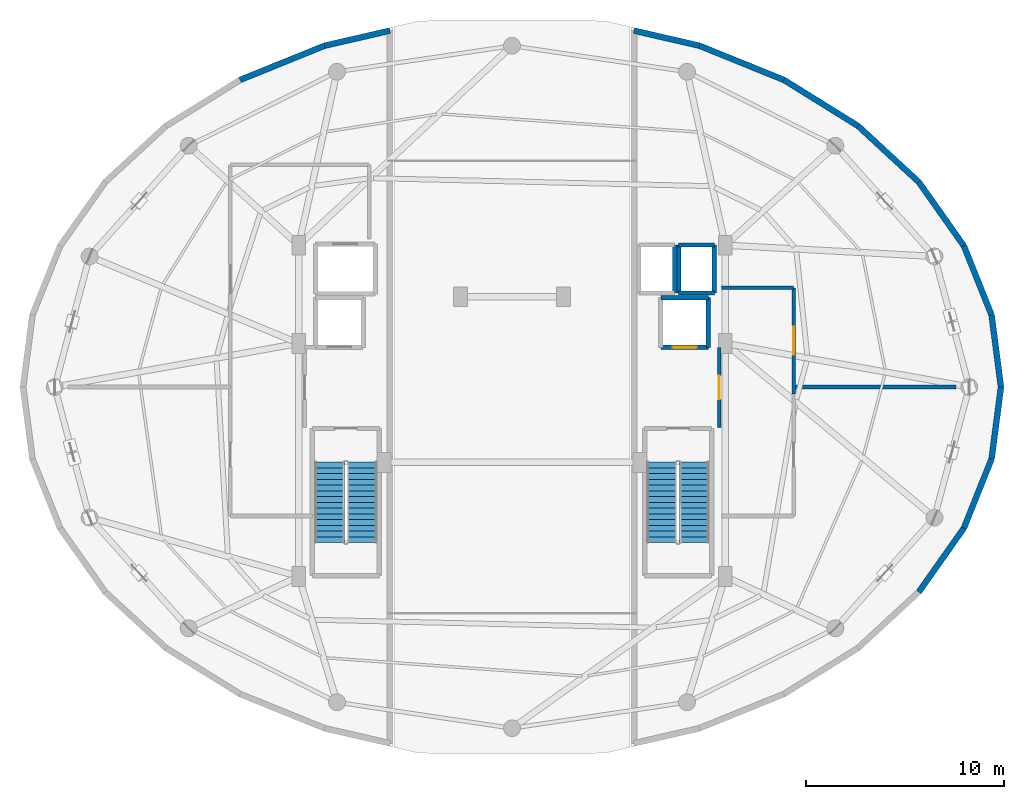
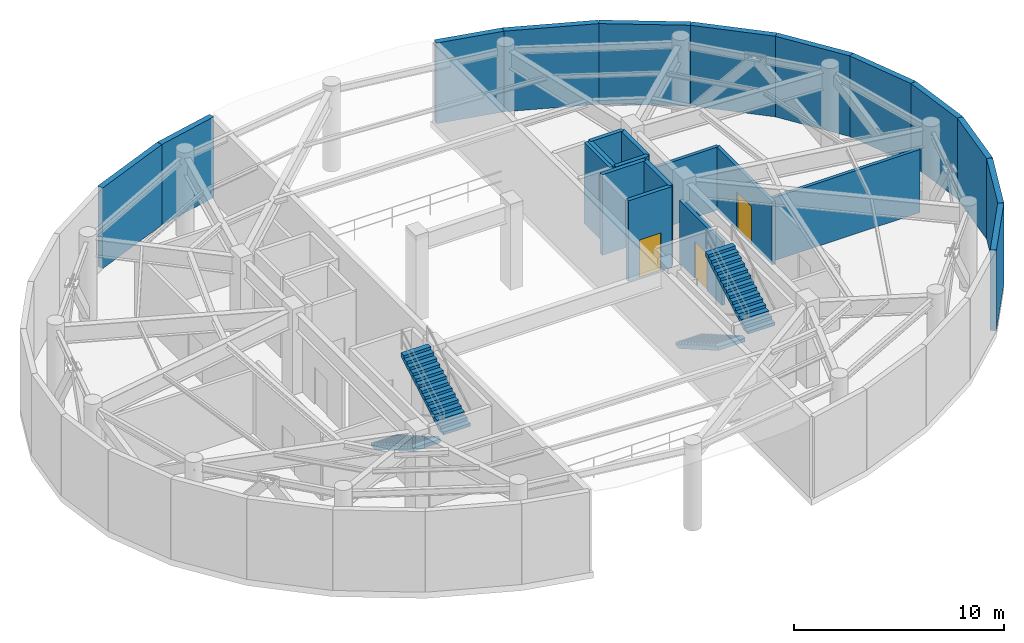
# One storey, part 6 of 7: 24 walls, 4 stair flights, 3 doors, 3 openings, 2 elements without a shape of their own.
"""IFC4 building model written with IfcOpenShell, lengths in metres."""

import ifcopenshell
import ifcopenshell.guid

model = None  # the IFC model being written
_history = None  # IfcOwnerHistory: only IFC2X3 demands one
_inside = {}  # id of a spatial element -> (the spatial element, [elements in it])
_under = {}  # id of a project, library or spatial element -> (it, [spatial elements below it])
_declared = {}  # id of a project -> (the project, [libraries it declares])
_typed = {}  # id of a type object -> (the type object, [elements of that type])
_made_of = {}  # id of a material, layer set ... -> (it, [elements and type objects made of it])


def new_model(schema):
    """Start an empty IFC model of exactly this schema.

    Asked for "IFC4X3", IfcOpenShell would pick the latest addendum, in which some entities
    have other attributes; the version numbers below select the first issue.
    IFC2X3 requires an IfcOwnerHistory on every rooted entity: one is made here for all.
    """
    global model, _history
    if schema == "IFC4X3":
        model = ifcopenshell.file(schema_version=(4, 3, 0, 0))
    else:
        model = ifcopenshell.file(schema=schema)
    _inside.clear()
    _under.clear()
    _declared.clear()
    _typed.clear()
    _made_of.clear()
    _history = None
    if model.schema == "IFC2X3":
        org = make("IfcOrganization", Name="unknown")
        user = make(
            "IfcPersonAndOrganization",
            ThePerson=make("IfcPerson", FamilyName="unknown"),
            TheOrganization=org,
        )
        app = make(
            "IfcApplication",
            ApplicationDeveloper=org,
            Version="unknown",
            ApplicationFullName="unknown",
            ApplicationIdentifier="unknown",
        )
        _history = make(
            "IfcOwnerHistory",
            OwningUser=user,
            OwningApplication=app,
            ChangeAction="ADDED",
            CreationDate=0,
        )
    return model


def make(cls, **values):
    """One entity of the class cls with the attributes given. An attribute that is None is left unset."""
    return model.create_entity(
        cls, **{name: value for name, value in values.items() if value is not None}
    )


def rooted(cls, **values):
    """An entity with a GlobalId (a new one), such as an element, a storey or a relation."""
    return make(cls, GlobalId=ifcopenshell.guid.new(), OwnerHistory=_history, **values)


def si_unit(unit_type, name, prefix=None):
    """IfcSIUnit, for example si_unit("LENGTHUNIT", "METRE", prefix="MILLI")."""
    return make("IfcSIUnit", UnitType=unit_type, Prefix=prefix, Name=name)


def assignment(units):
    """IfcUnitAssignment: the units of a project."""
    return None if units is None else make("IfcUnitAssignment", Units=units)


def point(xyz):
    """IfcCartesianPoint."""
    return None if xyz is None else make("IfcCartesianPoint", Coordinates=xyz)


def direction(xyz):
    """IfcDirection."""
    return None if xyz is None else make("IfcDirection", DirectionRatios=xyz)


def frame(location, z_axis=None, x_axis=None):
    """IfcAxis2Placement3D, a coordinate frame: its origin and axes. An axis left out is left unset."""
    return make(
        "IfcAxis2Placement3D",
        Location=point(location),
        Axis=direction(z_axis),
        RefDirection=direction(x_axis),
    )


def frame_2d(location, x_axis=None):
    """IfcAxis2Placement2D, a coordinate frame in the plane: its origin and x axis."""
    return make(
        "IfcAxis2Placement2D", Location=point(location), RefDirection=direction(x_axis)
    )


def origin():
    """The frame at (0, 0, 0) with its axes left unset."""
    return frame((0.0, 0.0, 0.0))


def place(relative_to, where):
    """IfcLocalPlacement: puts the frame where relative to a parent placement (None: the world)."""
    return make(
        "IfcLocalPlacement", PlacementRelTo=relative_to, RelativePlacement=where
    )


def context(
    kind, dimensions, precision=None, world=None, true_north=None, identifier=None
):
    """IfcGeometricRepresentationContext, for example the 3D "Model" context."""
    return make(
        "IfcGeometricRepresentationContext",
        ContextIdentifier=identifier,
        ContextType=kind,
        CoordinateSpaceDimension=dimensions,
        Precision=precision,
        WorldCoordinateSystem=world,
        TrueNorth=true_north,
    )


def subcontext(parent, identifier, kind, view, scale=None):
    """IfcGeometricRepresentationSubContext, for example "Body" below "Model"."""
    return make(
        "IfcGeometricRepresentationSubContext",
        ContextIdentifier=identifier,
        ContextType=kind,
        ParentContext=parent,
        TargetScale=scale,
        TargetView=view,
    )


def project(units=None, contexts=None):
    """IfcProject with its units and contexts."""
    return rooted(
        "IfcProject",
        Name="project",
        RepresentationContexts=contexts,
        UnitsInContext=assignment(units),
    )


def spatial(cls, under=None, at=None, **own):
    """A site, building, storey or space (cls), placed at a placement, below another one or the project."""
    s = rooted(cls, ObjectPlacement=at, **own)
    if under is not None:
        _under.setdefault(under.id(), (under, []))[1].append(s)
    return s


def polyline(points):
    """IfcPolyline through the points."""
    return make("IfcPolyline", Points=[point(p) for p in points])


def profile(cls, at=None, kind="AREA", **sizes):
    """A parametric profile (cls). Its sizes go by their IFC names, for example OverallWidth=200.0."""
    return make(cls, ProfileType=kind, Position=at, **sizes)


def rectangle(**sizes):
    """IfcRectangleProfileDef."""
    return profile("IfcRectangleProfileDef", **sizes)


def outline(outer, holes=None, kind="AREA"):
    """IfcArbitraryClosedProfileDef: a profile drawn as a closed curve; with holes, ...WithVoids."""
    if holes is None:
        return make("IfcArbitraryClosedProfileDef", ProfileType=kind, OuterCurve=outer)
    return make(
        "IfcArbitraryProfileDefWithVoids",
        ProfileType=kind,
        OuterCurve=outer,
        InnerCurves=holes,
    )


def extrude(swept, where, along, depth):
    """IfcExtrudedAreaSolid: the profile swept, set in the frame where, extruded along a direction by depth."""
    return make(
        "IfcExtrudedAreaSolid",
        SweptArea=swept,
        Position=where,
        ExtrudedDirection=direction(along),
        Depth=depth,
    )


def shape(context_of_items, identifier, shape_type, items):
    """IfcShapeRepresentation: the items that make up one representation, for example the "Body"."""
    return make(
        "IfcShapeRepresentation",
        ContextOfItems=context_of_items,
        RepresentationIdentifier=identifier,
        RepresentationType=shape_type,
        Items=items,
    )


def material(Name=None, Category=None):
    """IfcMaterial."""
    return make("IfcMaterial", Name=Name, Category=Category)


def layer(
    of_material, thickness, ventilated=None, Name=None, Category=None, Priority=None
):
    """IfcMaterialLayer: one layer of a wall or slab, of a material (None: an air gap)."""
    return make(
        "IfcMaterialLayer",
        Material=of_material,
        LayerThickness=thickness,
        IsVentilated=ventilated,
        Name=Name,
        Category=Category,
        Priority=Priority,
    )


def layer_set(layers, Name=None):
    """IfcMaterialLayerSet."""
    return make("IfcMaterialLayerSet", MaterialLayers=layers, LayerSetName=Name)


def made_of(thing, what):
    """Note that an element or type object is made of a material, layer set ...; save() writes the relation."""
    if what is not None:
        _made_of.setdefault(what.id(), (what, []))[1].append(thing)
    return thing


def type_object(cls, material=None, **own):
    """A type object (cls), such as IfcWallType, which elements share."""
    return made_of(rooted(cls, **own), material)


def element(
    cls,
    number,
    at=None,
    inside=None,
    cuts=None,
    type_object=None,
    material=None,
    context=None,
    identifier="Body",
    shape_type=None,
    held_by="IfcProductDefinitionShape",
    body=None,
    shapes=None,
    **own,
):
    """One element of the class cls, such as IfcWall. Its Tag is "e" and its number.

    at: its placement. inside: the storey or other place that contains it. cuts: it is an
    opening in that element (IfcRelVoidsElement). A single representation is given by context,
    identifier, shape_type and body (its items); several are given by shapes. held_by: the class
    of the entity that holds the representations. save() writes the other relations.
    """
    e = rooted(cls, Tag="e%d" % number, ObjectPlacement=at, **own)
    if body is not None:
        shapes = [shape(context, identifier, shape_type, body)]
    if shapes is not None:
        e.Representation = make(held_by, Representations=shapes)
    if inside is not None:
        _inside.setdefault(inside.id(), (inside, []))[1].append(e)
    if cuts is not None:
        rooted(
            "IfcRelVoidsElement", RelatingBuildingElement=cuts, RelatedOpeningElement=e
        )
    if type_object is not None:
        _typed.setdefault(type_object.id(), (type_object, []))[1].append(e)
    return made_of(e, material)


def fill(opening, filler):
    """IfcRelFillsElement: the door or window that sits in an opening."""
    return rooted(
        "IfcRelFillsElement",
        RelatingOpeningElement=opening,
        RelatedBuildingElement=filler,
    )


def aggregate(whole, parts):
    """IfcRelAggregates: a whole, such as a stair, and the parts it consists of."""
    return rooted("IfcRelAggregates", RelatingObject=whole, RelatedObjects=parts)


def save(model, path):
    """Write the relations noted so far, then the file.

    IfcRelAggregates (storeys below a building ...), IfcRelContainedInSpatialStructure (elements
    in a storey), IfcRelDefinesByType, IfcRelAssociatesMaterial and IfcRelDeclares: one each for
    every whole, place, type object, material and project.
    """
    for whole, parts in _under.values():
        aggregate(whole, parts)
    for where, things in _inside.values():
        rooted(
            "IfcRelContainedInSpatialStructure",
            RelatedElements=things,
            RelatingStructure=where,
        )
    for kind, things in _typed.values():
        rooted("IfcRelDefinesByType", RelatedObjects=things, RelatingType=kind)
    for what, things in _made_of.values():
        rooted("IfcRelAssociatesMaterial", RelatedObjects=things, RelatingMaterial=what)
    for by, libraries in _declared.values():
        rooted("IfcRelDeclares", RelatingContext=by, RelatedDefinitions=libraries)
    model.write(path)


model = new_model("IFC4")

# Units and contexts
model_context = context("Model", 3, precision=1e-05, world=origin(), true_north=direction((0.0, 1.0)))
body_context = subcontext(model_context, "Body", "Model", "MODEL_VIEW")
ifc_project = project(units=[si_unit("LENGTHUNIT", "METRE"), si_unit("AREAUNIT", "SQUARE_METRE"), si_unit("VOLUMEUNIT", "CUBIC_METRE"), si_unit("PLANEANGLEUNIT", "RADIAN"), si_unit("MASSUNIT", "GRAM", prefix="KILO")], contexts=[model_context])

# Site, building, storey
site_placement = place(None, origin())
site = spatial("IfcSite", under=ifc_project, at=site_placement, CompositionType="ELEMENT")
building_placement = place(site_placement, origin())
building = spatial("IfcBuilding", under=site, at=building_placement, Name="Vorneva Point Tower", CompositionType="ELEMENT")
storey_placement = place(building_placement, frame((0.0, 0.0, 280.39990234375)))
storey = spatial("IfcBuildingStorey", under=building, at=storey_placement, Name="L76", CompositionType="ELEMENT", Elevation=280.39990234375)

# Wall, opening, door
ifc_material_1 = material(Name="Concrete B60 (C50/60)", Category="concrete")
ifc_layer_1 = layer(ifc_material_1, 0.35009765625)
ifc_layer_set_1 = layer_set([ifc_layer_1], Name="Concrete B60 (C50/60)")
wall_type_1 = type_object("IfcWallType", Name="WL-CORE-350", PredefinedType="SHEAR", material=ifc_layer_set_1)
wall_1_placement = place(storey_placement, frame((45.5, 28.0, 0.0), z_axis=(0.0, 0.0, 1.0), x_axis=(1.0, 0.0, 0.0)))
wall_1 = element("IfcWall", 1, at=wall_1_placement, inside=storey, type_object=wall_type_1, Name="L76 Lift FFL2 Shaft Wall -Y", PredefinedType="SHEAR", context=body_context, shape_type="SweptSolid", body=[
    extrude(rectangle(XDim=2.39990234375, YDim=0.219970703125, at=frame_2d((1.199951171875, 0.0))), origin(), (0.0, 0.0, 1.0), 4.690185546875),
])
opening_1_placement = place(wall_1_placement, frame((0.60009765625, 0.0, 0.0)))
opening_1 = element("IfcOpeningElement", 2, at=opening_1_placement, cuts=wall_1, Name="Opening LD-02", PredefinedType="OPENING", context=body_context, shape_type="SweptSolid", body=[
    extrude(rectangle(XDim=1.199951171875, YDim=2.199951171875, at=frame_2d((0.60009765625, 1.10009765625))), frame((0.0, 0.125, 0.0), z_axis=(0.0, -1.0, 0.0), x_axis=(1.0, 0.0, 0.0)), (0.0, 0.0, 1.0), 0.249755859375),
])
ifc_material_2 = material(Name="Brushed stainless steel S304", Category="steel")
door_type_1 = type_object("IfcDoorType", Name="LD-FIRE-1200", OperationType="SLIDING_TO_LEFT", PredefinedType="DOOR", material=ifc_material_2)
door_1_placement = place(opening_1_placement, origin())
door_1 = element("IfcDoor", 3, at=door_1_placement, inside=storey, type_object=door_type_1, Name="L76 Lift FFL2 Sliding Landing Door", OperationType="SLIDING_TO_LEFT", OverallHeight=2.199951171875, OverallWidth=1.199951171875, PredefinedType="DOOR", context=body_context, shape_type="SweptSolid", body=[
    extrude(rectangle(XDim=1.199951171875, YDim=2.199951171875, at=frame_2d((0.60009765625, 1.10009765625))), frame((0.0, 0.02490234375, 0.0), z_axis=(0.0, -1.0, 0.0), x_axis=(1.0, 0.0, 0.0)), (0.0, 0.0, 1.0), 0.050048828125),
])
fill(opening_1, door_1)

# Walls
wall_2_placement = place(storey_placement, frame((47.89990234375, 28.0, 0.0), z_axis=(0.0, 0.0, 1.0), x_axis=(0.0, 1.0, 0.0)))
element("IfcWall", 4, at=wall_2_placement, inside=storey, type_object=wall_type_1, Name="L76 Lift FFL2 Shaft Wall +X", PredefinedType="SHEAR", context=body_context, shape_type="SweptSolid", body=[
    extrude(rectangle(XDim=2.5, YDim=0.219970703125, at=frame_2d((1.25, 0.0))), origin(), (0.0, 0.0, 1.0), 4.690185546875),
])
wall_3_placement = place(storey_placement, frame((47.89990234375, 30.5, 0.0), z_axis=(0.0, 0.0, 1.0), x_axis=(-1.0, 0.0, 0.0)))
element("IfcWall", 5, at=wall_3_placement, inside=storey, type_object=wall_type_1, Name="L76 Lift FFL2 Shaft Wall +Y", PredefinedType="SHEAR", context=body_context, shape_type="SweptSolid", body=[
    extrude(rectangle(XDim=2.39990234375, YDim=0.219970703125, at=frame_2d((1.199951171875, 0.0))), origin(), (0.0, 0.0, 1.0), 4.690185546875),
])
ifc_material_3 = material(Name="Precast concrete B50 (C40/50)", Category="concrete")
ifc_layer_2 = layer(ifc_material_3, 0.300048828125)
ifc_layer_set_2 = layer_set([ifc_layer_2], Name="Precast concrete B50 (C40/50)")
wall_type_2 = type_object("IfcWallType", Name="WL-EXT-300", PredefinedType="STANDARD", material=ifc_layer_set_2)
wall_4_placement = place(storey_placement, frame((24.2900390625, 41.480712890625, 0.0), z_axis=(0.0, 0.0, 1.0), x_axis=(0.92693538823, 0.37522098295, 0.0)))
element("IfcWall", 6, at=wall_4_placement, inside=storey, type_object=wall_type_2, Name="L76 Wind Portal W Acoustic Louvre Wall 13", PredefinedType="STANDARD", context=body_context, shape_type="SweptSolid", body=[
    extrude(rectangle(XDim=4.600830078125, YDim=0.300048828125, at=frame_2d((2.30029296875, 0.0))), origin(), (0.0, 0.0, 1.0), 4.690185546875),
])
for number, where, z_axis, x_axis, name in (
    (7, (28.5546875, 43.20703125, 0.0), (0.0, 0.0, 1.0), (0.974626745529, 0.223836339542, 0.0), "L76 Wind Portal W Acoustic Louvre Wall 14"),
    (8, (44.14990234375, 43.9638671875, 0.0), (0.0, 0.0, 1.0), (0.974626745529, -0.223836339542, 0.0), "L76 Wind Portal E Acoustic Louvre Wall 01"),
):
    element("IfcWall", number, at=place(storey_placement, frame(where, z_axis=z_axis, x_axis=x_axis)), inside=storey, type_object=wall_type_2, Name=name, PredefinedType="STANDARD", context=body_context, shape_type="SweptSolid", body=[
        extrude(rectangle(XDim=3.381103515625, YDim=0.300048828125, at=frame_2d((1.6904296875, 0.0))), origin(), (0.0, 0.0, 1.0), 4.690185546875),
    ])
wall_5_placement = place(storey_placement, frame((47.4453125, 43.20703125, 0.0), z_axis=(0.0, 0.0, 1.0), x_axis=(0.92693538823, -0.37522098295, 0.0)))
element("IfcWall", 9, at=wall_5_placement, inside=storey, type_object=wall_type_2, Name="L76 Wind Portal E Acoustic Louvre Wall 02", PredefinedType="STANDARD", context=body_context, shape_type="SweptSolid", body=[
    extrude(rectangle(XDim=4.600830078125, YDim=0.300048828125, at=frame_2d((2.30029296875, 0.0))), origin(), (0.0, 0.0, 1.0), 4.690185546875),
])
wall_6_placement = place(storey_placement, frame((51.7099609375, 41.480712890625, 0.0), z_axis=(0.0, 0.0, 1.0), x_axis=(0.849349234666, -0.527831296507, 0.0)))
element("IfcWall", 10, at=wall_6_placement, inside=storey, type_object=wall_type_2, Name="L76 Wind Portal E Acoustic Louvre Wall 03", PredefinedType="STANDARD", context=body_context, shape_type="SweptSolid", body=[
    extrude(rectangle(XDim=4.397216796875, YDim=0.300048828125, at=frame_2d((2.19873046875, 0.0))), origin(), (0.0, 0.0, 1.0), 4.690185546875),
])
wall_7_placement = place(storey_placement, frame((55.44482421875, 39.15966796875, 0.0), z_axis=(0.0, 0.0, 1.0), x_axis=(0.734924736036, -0.678148680131, 0.0)))
element("IfcWall", 11, at=wall_7_placement, inside=storey, type_object=wall_type_2, Name="L76 Wind Portal E Acoustic Louvre Wall 04", PredefinedType="STANDARD", context=body_context, shape_type="SweptSolid", body=[
    extrude(rectangle(XDim=4.166748046875, YDim=0.300048828125, at=frame_2d((2.08349609375, 0.0))), origin(), (0.0, 0.0, 1.0), 4.690185546875),
])
wall_8_placement = place(storey_placement, frame((58.507080078125, 36.333984375, 0.0), z_axis=(0.0, 0.0, 1.0), x_axis=(0.576692927478, -0.816960995028, 0.0)))
element("IfcWall", 12, at=wall_8_placement, inside=storey, type_object=wall_type_2, Name="L76 Wind Portal E Acoustic Louvre Wall 05", PredefinedType="STANDARD", context=body_context, shape_type="SweptSolid", body=[
    extrude(rectangle(XDim=3.9404296875, YDim=0.300048828125, at=frame_2d((1.97021484375, 0.0))), origin(), (0.0, 0.0, 1.0), 4.690185546875),
])
wall_9_placement = place(storey_placement, frame((60.779541015625, 33.11474609375, 0.0), z_axis=(0.0, 0.0, 1.0), x_axis=(0.371849773866, -0.928292920191, 0.0)))
element("IfcWall", 13, at=wall_9_placement, inside=storey, type_object=wall_type_2, Name="L76 Wind Portal E Acoustic Louvre Wall 06", PredefinedType="STANDARD", context=body_context, shape_type="SweptSolid", body=[
    extrude(rectangle(XDim=3.7587890625, YDim=0.300048828125, at=frame_2d((1.87939453125, 0.0))), origin(), (0.0, 0.0, 1.0), 4.690185546875),
])
for number, where, z_axis, x_axis, name in (
    (14, (62.17724609375, 29.62548828125, 0.0), (0.0, 0.0, 1.0), (0.128948064223, -0.991651348375, 0.0), "L76 Wind Portal E Acoustic Louvre Wall 07"),
    (15, (62.648681640625, 26.0, 0.0), (0.0, 0.0, 1.0), (-0.128948064223, -0.991651348375, 0.0), "L76 Wind Portal E Acoustic Louvre Wall 08"),
):
    element("IfcWall", number, at=place(storey_placement, frame(where, z_axis=z_axis, x_axis=x_axis)), inside=storey, type_object=wall_type_2, Name=name, PredefinedType="STANDARD", context=body_context, shape_type="SweptSolid", body=[
        extrude(rectangle(XDim=3.656005859375, YDim=0.300048828125, at=frame_2d((1.828125, 0.0))), origin(), (0.0, 0.0, 1.0), 4.690185546875),
    ])
wall_10_placement = place(storey_placement, frame((62.17724609375, 22.37451171875, 0.0), z_axis=(0.0, 0.0, 1.0), x_axis=(-0.371849773866, -0.928292920191, 0.0)))
element("IfcWall", 16, at=wall_10_placement, inside=storey, type_object=wall_type_2, Name="L76 Wind Portal E Acoustic Louvre Wall 09", PredefinedType="STANDARD", context=body_context, shape_type="SweptSolid", body=[
    extrude(rectangle(XDim=3.7587890625, YDim=0.300048828125, at=frame_2d((1.87939453125, 0.0))), origin(), (0.0, 0.0, 1.0), 4.690185546875),
])
wall_11_placement = place(storey_placement, frame((60.779541015625, 18.88525390625, 0.0), z_axis=(0.0, 0.0, 1.0), x_axis=(-0.576692927478, -0.816960995028, 0.0)))
element("IfcWall", 17, at=wall_11_placement, inside=storey, type_object=wall_type_2, Name="L76 Wind Portal E Acoustic Louvre Wall 10", PredefinedType="STANDARD", context=body_context, shape_type="SweptSolid", body=[
    extrude(rectangle(XDim=3.9404296875, YDim=0.300048828125, at=frame_2d((1.97021484375, 0.0))), origin(), (0.0, 0.0, 1.0), 4.690185546875),
])

# Wall, opening, door
ifc_material_4 = material(Name="Autoclaved aerated concrete blockwork", Category="masonry")
ifc_layer_3 = layer(ifc_material_4, 0.179931640625)
ifc_layer_set_3 = layer_set([ifc_layer_3], Name="Autoclaved aerated concrete blockwork")
wall_type_3 = type_object("IfcWallType", Name="WL-PART-180", PredefinedType="PARTITIONING", material=ifc_layer_set_3)
wall_12_placement = place(storey_placement, frame((48.449951171875, 23.949951171875, 0.0), z_axis=(0.0, 0.0, 1.0), x_axis=(0.0, 1.0, 0.0)))
wall_12 = element("IfcWall", 18, at=wall_12_placement, inside=storey, type_object=wall_type_3, Name="L76 Interior Partition 003", PredefinedType="PARTITIONING", context=body_context, shape_type="SweptSolid", body=[
    extrude(rectangle(XDim=4.050048828125, YDim=0.179931640625, at=frame_2d((2.02490234375, 0.0))), origin(), (0.0, 0.0, 1.0), 3.672119140625),
])
opening_2_placement = place(wall_12_placement, frame((1.425048828125, 0.0, 0.0)))
opening_2 = element("IfcOpeningElement", 19, at=opening_2_placement, cuts=wall_12, Name="Opening FD-02", PredefinedType="OPENING", context=body_context, shape_type="SweptSolid", body=[
    extrude(rectangle(XDim=1.199951171875, YDim=2.14990234375, at=frame_2d((0.60009765625, 1.074951171875))), frame((0.0, 0.10498046875, 0.0), z_axis=(0.0, -1.0, 0.0), x_axis=(1.0, 0.0, 0.0)), (0.0, 0.0, 1.0), 0.209716796875),
])
ifc_material_5 = material(Name="Fire-rated powder-coated steel", Category="steel")
door_type_2 = type_object("IfcDoorType", Name="DR-FFL-1200", OperationType="NOTDEFINED", PredefinedType="DOOR", material=ifc_material_5)
door_2_placement = place(opening_2_placement, origin())
door_2 = element("IfcDoor", 20, at=door_2_placement, inside=storey, type_object=door_type_2, Name="L76 Door East Firefighting Lobby / East Refuge and Plant Lobby L76", OperationType="SINGLE_SWING_LEFT", OverallHeight=2.14990234375, OverallWidth=1.199951171875, PredefinedType="DOOR", context=body_context, shape_type="SweptSolid", body=[
    extrude(rectangle(XDim=1.199951171875, YDim=2.14990234375, at=frame_2d((0.60009765625, 1.074951171875))), frame((0.0, 0.02490234375, 0.0), z_axis=(0.0, -1.0, 0.0), x_axis=(1.0, 0.0, 0.0)), (0.0, 0.0, 1.0), 0.050048828125),
])
fill(opening_2, door_2)

wall_13_placement = place(storey_placement, frame((52.199951171875, 25.659912109375, 0.0), z_axis=(0.0, 0.0, 1.0), x_axis=(0.0, 1.0, 0.0)))
wall_13 = element("IfcWall", 21, at=wall_13_placement, inside=storey, type_object=wall_type_3, Name="L76 Interior Partition 009", PredefinedType="PARTITIONING", context=body_context, shape_type="SweptSolid", body=[
    extrude(rectangle(XDim=5.340087890625, YDim=0.179931640625, at=frame_2d((2.669921875, 0.0))), origin(), (0.0, 0.0, 1.0), 3.672119140625),
])
opening_3_placement = place(wall_13_placement, frame((1.969970703125, 0.0, 0.0)))
opening_3 = element("IfcOpeningElement", 22, at=opening_3_placement, cuts=wall_13, Name="Opening FD-03", PredefinedType="OPENING", context=body_context, shape_type="SweptSolid", body=[
    extrude(rectangle(XDim=1.39990234375, YDim=2.199951171875, at=frame_2d((0.699951171875, 1.10009765625))), frame((0.0, 0.10498046875, 0.0), z_axis=(0.0, -1.0, 0.0), x_axis=(1.0, 0.0, 0.0)), (0.0, 0.0, 1.0), 0.209716796875),
])
door_type_3 = type_object("IfcDoorType", Name="DR-PLT-1400", OperationType="DOUBLE_SWING_LEFT", PredefinedType="DOOR", material=ifc_material_5)
door_3_placement = place(opening_3_placement, origin())
door_3 = element("IfcDoor", 23, at=door_3_placement, inside=storey, type_object=door_type_3, Name="L76 Door East Refuge and Plant Lobby L76 / Electrical Switchgear Room L76", OperationType="DOUBLE_SWING_LEFT", OverallHeight=2.199951171875, OverallWidth=1.39990234375, PredefinedType="DOOR", context=body_context, shape_type="SweptSolid", body=[
    extrude(rectangle(XDim=1.39990234375, YDim=2.199951171875, at=frame_2d((0.699951171875, 1.10009765625))), frame((0.0, 0.02490234375, 0.0), z_axis=(0.0, -1.0, 0.0), x_axis=(1.0, 0.0, 0.0)), (0.0, 0.0, 1.0), 0.050048828125),
])
fill(opening_3, door_3)

# Walls
wall_14_placement = place(storey_placement, frame((52.199951171875, 31.0, 0.0), z_axis=(0.0, 0.0, 1.0), x_axis=(-1.0, 0.0, 0.0)))
element("IfcWall", 24, at=wall_14_placement, inside=storey, type_object=wall_type_3, Name="L76 Interior Partition 010", PredefinedType="PARTITIONING", context=body_context, shape_type="SweptSolid", body=[
    extrude(rectangle(XDim=3.64990234375, YDim=0.179931640625, at=frame_2d((1.824951171875, 0.0))), origin(), (0.0, 0.0, 1.0), 3.672119140625),
])
wall_15_placement = place(storey_placement, frame((52.199951171875, 26.0, 0.0), z_axis=(0.0, 0.0, 1.0), x_axis=(1.0, 0.0, 0.0)))
element("IfcWall", 25, at=wall_15_placement, inside=storey, type_object=wall_type_3, Name="L76 Interior Partition 014", PredefinedType="PARTITIONING", context=body_context, shape_type="SweptSolid", body=[
    extrude(rectangle(XDim=8.177001953125, YDim=0.179931640625, at=frame_2d((4.08837890625, 0.0))), origin(), (0.0, 0.0, 1.0), 3.672119140625),
])
ifc_material_6 = material(Name="Concrete B50 (C40/50)", Category="concrete")
ifc_layer_4 = layer(ifc_material_6, 0.219970703125)
ifc_layer_set_4 = layer_set([ifc_layer_4], Name="Concrete B50 (C40/50)")
wall_type_4 = type_object("IfcWallType", Name="WL-SHFT-220", PredefinedType="SOLIDWALL", material=ifc_layer_set_4)
wall_16_placement = place(storey_placement, frame((46.199951171875, 30.739990234375, 0.0), z_axis=(0.0, 0.0, 1.0), x_axis=(0.0, 1.0, 0.0)))
element("IfcWall", 26, at=wall_16_placement, inside=storey, type_object=wall_type_4, Name="L76 Lift EX1 Shaft Wall +X", PredefinedType="SOLIDWALL", context=body_context, shape_type="SweptSolid", body=[
    extrude(rectangle(XDim=2.419921875, YDim=0.219970703125, at=frame_2d((1.2099609375, 0.0))), origin(), (0.0, 0.0, 1.0), 4.690185546875),
])
wall_17_placement = place(storey_placement, frame((46.39990234375, 30.739990234375, 0.0), z_axis=(0.0, 0.0, 1.0), x_axis=(1.0, 0.0, 0.0)))
element("IfcWall", 27, at=wall_17_placement, inside=storey, type_object=wall_type_4, Name="L76 Lift EX2 Shaft Wall -Y", PredefinedType="SOLIDWALL", context=body_context, shape_type="SweptSolid", body=[
    extrude(rectangle(XDim=1.800048828125, YDim=0.219970703125, at=frame_2d((0.89990234375, 0.0))), origin(), (0.0, 0.0, 1.0), 4.690185546875),
])
wall_18_placement = place(storey_placement, frame((48.199951171875, 30.739990234375, 0.0), z_axis=(0.0, 0.0, 1.0), x_axis=(0.0, 1.0, 0.0)))
element("IfcWall", 28, at=wall_18_placement, inside=storey, type_object=wall_type_4, Name="L76 Lift EX2 Shaft Wall +X", PredefinedType="SOLIDWALL", context=body_context, shape_type="SweptSolid", body=[
    extrude(rectangle(XDim=2.419921875, YDim=0.219970703125, at=frame_2d((1.2099609375, 0.0))), origin(), (0.0, 0.0, 1.0), 4.690185546875),
])
wall_19_placement = place(storey_placement, frame((48.199951171875, 33.159912109375, 0.0), z_axis=(0.0, 0.0, 1.0), x_axis=(-1.0, 0.0, 0.0)))
element("IfcWall", 29, at=wall_19_placement, inside=storey, type_object=wall_type_4, Name="L76 Lift EX2 Shaft Wall +Y", PredefinedType="SOLIDWALL", context=body_context, shape_type="SweptSolid", body=[
    extrude(rectangle(XDim=1.800048828125, YDim=0.219970703125, at=frame_2d((0.89990234375, 0.0))), origin(), (0.0, 0.0, 1.0), 4.690185546875),
])
wall_20_placement = place(storey_placement, frame((46.39990234375, 33.159912109375, 0.0), z_axis=(0.0, 0.0, 1.0), x_axis=(0.0, -1.0, 0.0)))
element("IfcWall", 30, at=wall_20_placement, inside=storey, type_object=wall_type_4, Name="L76 Lift EX2 Shaft Wall -X", PredefinedType="SOLIDWALL", context=body_context, shape_type="SweptSolid", body=[
    extrude(rectangle(XDim=2.419921875, YDim=0.219970703125, at=frame_2d((1.2099609375, 0.0))), origin(), (0.0, 0.0, 1.0), 4.690185546875),
])

# Stair, stair flights
stair_type = type_object("IfcStairType", Name="ST-DOG-1500", PredefinedType="HALF_TURN_STAIR", material=ifc_material_6)
stair_1_placement = place(storey_placement, origin())
stair_1 = element("IfcStair", 31, at=stair_1_placement, inside=storey, type_object=stair_type, Name="L76 ST1", PredefinedType="HALF_TURN_STAIR")
stair_flight_type = type_object("IfcStairFlightType", Name="STF-1500", PredefinedType="STRAIGHT", material=ifc_material_6)
stair_flight_1_placement = place(storey_placement, frame((28.800048828125, 22.219970703125, 0.0), z_axis=(0.0, 0.0, 1.0), x_axis=(0.0, -1.0, 0.0)))
stair_flight_1 = element("IfcStairFlight", 32, at=stair_flight_1_placement, type_object=stair_flight_type, Name="ST1 flight 1", NumberOfRisers=15, NumberOfTreads=14, PredefinedType="STRAIGHT", RiserHeight=0.166666667, TreadLength=0.29, context=body_context, shape_type="SweptSolid", body=[
    extrude(outline(polyline([(0.0, 0.0), (0.0, 0.166748046875), (0.2900390625, 0.166748046875), (0.2900390625, 0.333251953125), (0.580078125, 0.333251953125), (0.580078125, 0.5), (0.8701171875, 0.5), (0.8701171875, 0.666748046875), (1.159912109375, 0.666748046875), (1.159912109375, 0.833251953125), (1.449951171875, 0.833251953125), (1.449951171875, 1.0), (1.739990234375, 1.0), (1.739990234375, 1.166748046875), (2.030029296875, 1.166748046875), (2.030029296875, 1.333251953125), (2.320068359375, 1.333251953125), (2.320068359375, 1.5), (2.610107421875, 1.5), (2.610107421875, 1.666748046875), (2.89990234375, 1.666748046875), (2.89990234375, 1.833251953125), (3.18994140625, 1.833251953125), (3.18994140625, 2.0), (3.47998046875, 2.0), (3.47998046875, 2.166748046875), (3.77001953125, 2.166748046875), (3.77001953125, 2.333251953125), (4.06005859375, 2.333251953125), (4.06005859375, 2.5), (4.06005859375, 2.125732421875), (0.361083984375, 0.0), (0.0, 0.0)])), frame((0.0, 0.75, 0.0), z_axis=(0.0, -1.0, 0.0), x_axis=(1.0, 0.0, 0.0)), (0.0, 0.0, 1.0), 1.5),
])
stair_flight_2_placement = place(storey_placement, frame((30.449951171875, 18.159912109375, 2.5), z_axis=(0.0, 0.0, 1.0), x_axis=(0.0, 1.0, 0.0)))
stair_flight_2 = element("IfcStairFlight", 33, at=stair_flight_2_placement, type_object=stair_flight_type, Name="ST1 flight 2", NumberOfRisers=15, NumberOfTreads=14, PredefinedType="STRAIGHT", RiserHeight=0.166666667, TreadLength=0.29, context=body_context, shape_type="SweptSolid", body=[
    extrude(outline(polyline([(0.0, 0.0), (0.0, 0.166748046875), (0.2900390625, 0.166748046875), (0.2900390625, 0.333251953125), (0.580078125, 0.333251953125), (0.580078125, 0.5), (0.8701171875, 0.5), (0.8701171875, 0.666748046875), (1.159912109375, 0.666748046875), (1.159912109375, 0.833251953125), (1.449951171875, 0.833251953125), (1.449951171875, 1.0), (1.739990234375, 1.0), (1.739990234375, 1.166748046875), (2.030029296875, 1.166748046875), (2.030029296875, 1.333251953125), (2.320068359375, 1.333251953125), (2.320068359375, 1.5), (2.610107421875, 1.5), (2.610107421875, 1.666748046875), (2.89990234375, 1.666748046875), (2.89990234375, 1.833251953125), (3.18994140625, 1.833251953125), (3.18994140625, 2.0), (3.47998046875, 2.0), (3.47998046875, 2.166748046875), (3.77001953125, 2.166748046875), (3.77001953125, 2.333251953125), (4.06005859375, 2.333251953125), (4.06005859375, 2.5), (4.06005859375, 2.125732421875), (0.361083984375, 0.0), (0.0, 0.0)])), frame((0.0, 0.75, 0.0), z_axis=(0.0, -1.0, 0.0), x_axis=(1.0, 0.0, 0.0)), (0.0, 0.0, 1.0), 1.5),
])
aggregate(stair_1, [stair_flight_1, stair_flight_2])

stair_2_placement = place(storey_placement, origin())
stair_2 = element("IfcStair", 34, at=stair_2_placement, inside=storey, type_object=stair_type, Name="L76 ST2", PredefinedType="HALF_TURN_STAIR")
stair_flight_3_placement = place(storey_placement, frame((45.550048828125, 22.219970703125, 0.0), z_axis=(0.0, 0.0, 1.0), x_axis=(0.0, -1.0, 0.0)))
stair_flight_3 = element("IfcStairFlight", 35, at=stair_flight_3_placement, type_object=stair_flight_type, Name="ST2 flight 1", NumberOfRisers=15, NumberOfTreads=14, PredefinedType="STRAIGHT", RiserHeight=0.166666667, TreadLength=0.29, context=body_context, shape_type="SweptSolid", body=[
    extrude(outline(polyline([(0.0, 0.0), (0.0, 0.166748046875), (0.2900390625, 0.166748046875), (0.2900390625, 0.333251953125), (0.580078125, 0.333251953125), (0.580078125, 0.5), (0.8701171875, 0.5), (0.8701171875, 0.666748046875), (1.159912109375, 0.666748046875), (1.159912109375, 0.833251953125), (1.449951171875, 0.833251953125), (1.449951171875, 1.0), (1.739990234375, 1.0), (1.739990234375, 1.166748046875), (2.030029296875, 1.166748046875), (2.030029296875, 1.333251953125), (2.320068359375, 1.333251953125), (2.320068359375, 1.5), (2.610107421875, 1.5), (2.610107421875, 1.666748046875), (2.89990234375, 1.666748046875), (2.89990234375, 1.833251953125), (3.18994140625, 1.833251953125), (3.18994140625, 2.0), (3.47998046875, 2.0), (3.47998046875, 2.166748046875), (3.77001953125, 2.166748046875), (3.77001953125, 2.333251953125), (4.06005859375, 2.333251953125), (4.06005859375, 2.5), (4.06005859375, 2.125732421875), (0.361083984375, 0.0), (0.0, 0.0)])), frame((0.0, 0.75, 0.0), z_axis=(0.0, -1.0, 0.0), x_axis=(1.0, 0.0, 0.0)), (0.0, 0.0, 1.0), 1.5),
])
stair_flight_4_placement = place(storey_placement, frame((47.199951171875, 18.159912109375, 2.5), z_axis=(0.0, 0.0, 1.0), x_axis=(0.0, 1.0, 0.0)))
stair_flight_4 = element("IfcStairFlight", 36, at=stair_flight_4_placement, type_object=stair_flight_type, Name="ST2 flight 2", NumberOfRisers=15, NumberOfTreads=14, PredefinedType="STRAIGHT", RiserHeight=0.166666667, TreadLength=0.29, context=body_context, shape_type="SweptSolid", body=[
    extrude(outline(polyline([(0.0, 0.0), (0.0, 0.166748046875), (0.2900390625, 0.166748046875), (0.2900390625, 0.333251953125), (0.580078125, 0.333251953125), (0.580078125, 0.5), (0.8701171875, 0.5), (0.8701171875, 0.666748046875), (1.159912109375, 0.666748046875), (1.159912109375, 0.833251953125), (1.449951171875, 0.833251953125), (1.449951171875, 1.0), (1.739990234375, 1.0), (1.739990234375, 1.166748046875), (2.030029296875, 1.166748046875), (2.030029296875, 1.333251953125), (2.320068359375, 1.333251953125), (2.320068359375, 1.5), (2.610107421875, 1.5), (2.610107421875, 1.666748046875), (2.89990234375, 1.666748046875), (2.89990234375, 1.833251953125), (3.18994140625, 1.833251953125), (3.18994140625, 2.0), (3.47998046875, 2.0), (3.47998046875, 2.166748046875), (3.77001953125, 2.166748046875), (3.77001953125, 2.333251953125), (4.06005859375, 2.333251953125), (4.06005859375, 2.5), (4.06005859375, 2.125732421875), (0.361083984375, 0.0), (0.0, 0.0)])), frame((0.0, 0.75, 0.0), z_axis=(0.0, -1.0, 0.0), x_axis=(1.0, 0.0, 0.0)), (0.0, 0.0, 1.0), 1.5),
])
aggregate(stair_2, [stair_flight_3, stair_flight_4])

save(model, "model.ifc")
